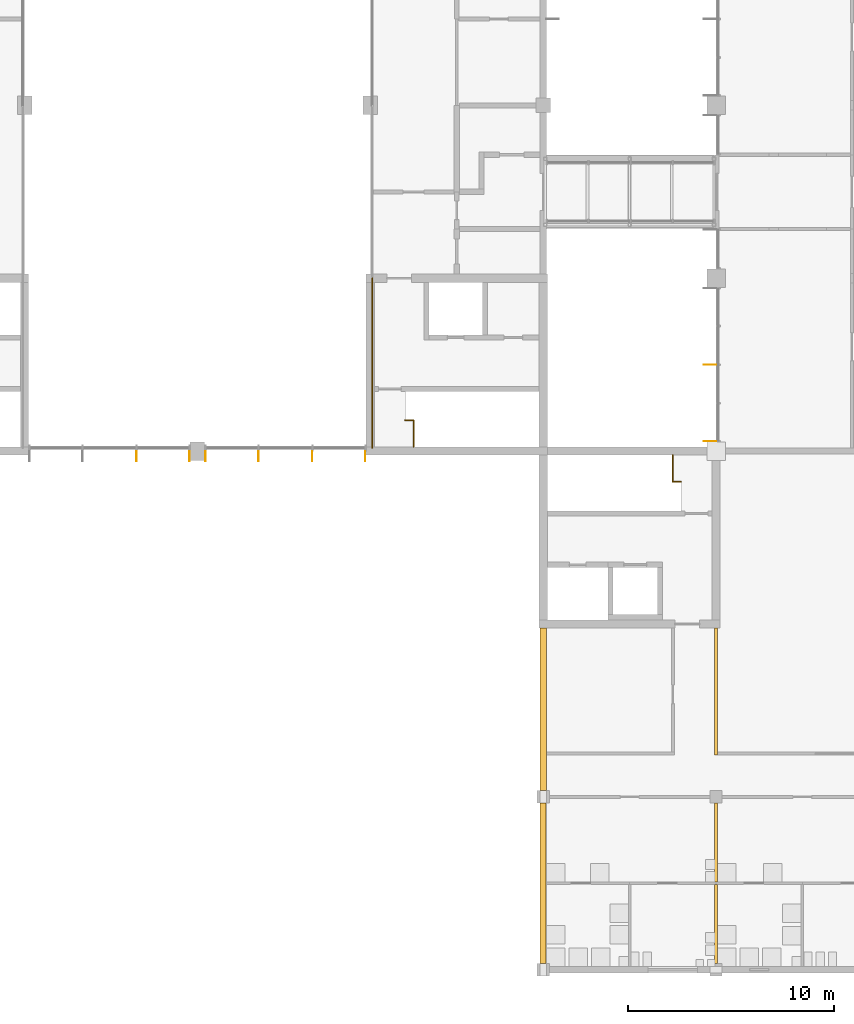
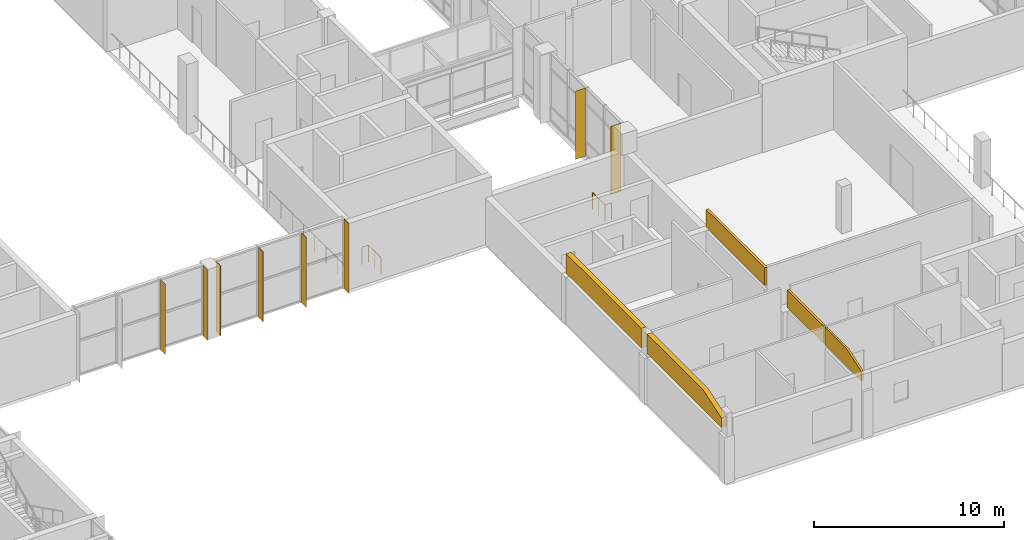
# One storey, part 61 of 70: 8 shading devices, 5 coverings, 3 railings.
"""IFC4 building model written with IfcOpenShell, lengths in metres."""

from ifc_helpers import new_model, si_unit, direction, frame, frame_2d, origin, origin_2d, place, context, subcontext, project, spatial, polyline, rectangle, circle, outline, extrude, material, layer, layer_set, type_object, element, save


model = new_model("IFC4")

# Units and contexts
model_context = context("Model", 3, precision=1e-05, world=origin(), true_north=direction((0.0, 1.0)))
body_context = subcontext(model_context, "Body", "Model", "MODEL_VIEW")
ifc_project = project(units=[si_unit("LENGTHUNIT", "METRE"), si_unit("AREAUNIT", "SQUARE_METRE"), si_unit("VOLUMEUNIT", "CUBIC_METRE"), si_unit("PLANEANGLEUNIT", "RADIAN"), si_unit("MASSUNIT", "GRAM", prefix="KILO")], contexts=[model_context])

# Site, building, storey
site_placement = place(None, origin())
site = spatial("IfcSite", under=ifc_project, at=site_placement, CompositionType="ELEMENT")
building_placement = place(site_placement, origin())
building = spatial("IfcBuilding", under=site, at=building_placement, Name="Hlaing Beacon Police Headquarters", CompositionType="ELEMENT")
storey_placement = place(building_placement, frame((0.0, 0.0, 5.39990234375)))
storey = spatial("IfcBuildingStorey", under=building, at=storey_placement, Name="L01", CompositionType="ELEMENT", Elevation=5.39990234375)

# Shading devices
ifc_material_1 = material(Name="Aluminium 6063-T5 anodised", Category="aluminium")
ifc_layer_1 = layer(ifc_material_1, 0.011962890625)
ifc_layer_set_1 = layer_set([ifc_layer_1], Name="Aluminium 6063-T5 anodised")
shading_device_type_1 = type_object("IfcShadingDeviceType", Name="Aluminium fin 12x500", PredefinedType="JALOUSIE", material=ifc_layer_set_1)
for number, where, z_axis, x_axis, name in (
    (1, (72.63330078125, 33.35009765625, 0.0), (0.0, 0.0, 1.0), (1.0, 0.0, 0.0), "Fin L01 S009.2"),
    (2, (75.2099609375, 33.35009765625, 0.0), (0.0, 0.0, 1.0), (1.0, 0.0, 0.0), "Fin L01 S009.3"),
    (3, (75.989990234375, 33.35009765625, 0.0), (0.0, 0.0, 1.0), (1.0, 0.0, 0.0), "Fin L01 S010.0"),
    (4, (78.566650390625, 33.35009765625, 0.0), (0.0, 0.0, 1.0), (1.0, 0.0, 0.0), "Fin L01 S010.1"),
    (5, (81.183349609375, 33.35009765625, 0.0), (0.0, 0.0, 1.0), (1.0, 0.0, 0.0), "Fin L01 S010.2"),
    (6, (83.760009765625, 33.35009765625, 0.0), (0.0, 0.0, 1.0), (1.0, 0.0, 0.0), "Fin L01 S010.3"),
):
    element("IfcShadingDevice", number, at=place(storey_placement, frame(where, z_axis=z_axis, x_axis=x_axis)), inside=storey, type_object=shading_device_type_1, Name=name, PredefinedType="JALOUSIE", context=body_context, shape_type="SweptSolid", body=[
        extrude(rectangle(XDim=0.011962890625, YDim=0.5, at=origin_2d()), origin(), (0.0, 0.0, 1.0), 4.5),
    ])
ifc_material_2 = material(Name="Aluminium 6063-T5 anodised", Category="aluminium")
ifc_layer_2 = layer(ifc_material_2, 0.011962890625)
ifc_layer_set_2 = layer_set([ifc_layer_2], Name="Aluminium 6063-T5 anodised")
shading_device_type_2 = type_object("IfcShadingDeviceType", Name="Aluminium fin 12x600", PredefinedType="JALOUSIE", material=ifc_layer_set_2)
for number, where, z_axis, x_axis, name in (
    (7, (100.5, 37.800048828125, 0.0), (0.0, 0.0, 1.0), (0.0, -1.0, 0.0), "Fin L01 W027.2"),
    (8, (100.5, 34.080078125, 0.0), (0.0, 0.0, 1.0), (0.0, -1.0, 0.0), "Fin L01 W027.4"),
):
    element("IfcShadingDevice", number, at=place(storey_placement, frame(where, z_axis=z_axis, x_axis=x_axis)), inside=storey, type_object=shading_device_type_2, Name=name, PredefinedType="JALOUSIE", context=body_context, shape_type="SweptSolid", body=[
        extrude(rectangle(XDim=0.011962890625, YDim=0.60009765625, at=origin_2d()), origin(), (0.0, 0.0, 1.0), 4.3701171875),
    ])

# Coverings
ifc_material_3 = material(Name="Gypsum board partition")
ifc_layer_3 = layer(ifc_material_3, 0.14990234375)
ifc_layer_set_3 = layer_set([ifc_layer_3], Name="Gypsum board partition")
covering_type_1 = type_object("IfcCoveringType", Name="Closure panel, Corridor wall EI 30 150", PredefinedType="CLADDING", material=ifc_layer_set_3)
covering_1_placement = place(storey_placement, frame((100.800048828125, 18.824951171875, 3.254150390625), z_axis=(0.0, 0.0, 1.0), x_axis=(0.0, 1.0, 0.0)))
element("IfcCovering", 9, at=covering_1_placement, inside=storey, type_object=covering_type_1, Name="Closure panel Corridor wall EI 30 150", PredefinedType="CLADDING", context=body_context, shape_type="SweptSolid", body=[
    extrude(rectangle(XDim=6.175048828125, YDim=0.14990234375, at=frame_2d((3.08740234375, 0.0))), origin(), (0.0, 0.0, 1.0), 1.115966796875),
])
ifc_material_4 = material(Name="Gypsum board partition")
ifc_layer_4 = layer(ifc_material_4, 0.125)
ifc_layer_set_4 = layer_set([ifc_layer_4], Name="Gypsum board partition")
covering_type_2 = type_object("IfcCoveringType", Name="Closure panel, Partition 125", PredefinedType="CLADDING", material=ifc_layer_set_4)
covering_2_placement = place(storey_placement, frame((100.800048828125, 12.662109375, 3.254150390625), z_axis=(0.0, 0.0, 1.0), x_axis=(0.0, 1.0, 0.0)))
element("IfcCovering", 10, at=covering_2_placement, inside=storey, type_object=covering_type_2, Name="Closure panel Partition 125", PredefinedType="CLADDING", context=body_context, shape_type="SweptSolid", body=[
    extrude(rectangle(XDim=3.837890625, YDim=0.125, at=frame_2d((1.9189453125, 0.0))), origin(), (0.0, 0.0, 1.0), 1.115966796875),
])
covering_3_placement = place(storey_placement, frame((100.800048828125, 8.699951171875, 3.254150390625), z_axis=(0.0, 0.0, 1.0), x_axis=(0.0, 1.0, 0.0)))
element("IfcCovering", 11, at=covering_3_placement, inside=storey, type_object=covering_type_2, Name="Closure panel Partition 125", PredefinedType="CLADDING", context=body_context, shape_type="SweptSolid", body=[
    extrude(outline(polyline([(0.0, 0.0), (3.837158203125, 0.0), (3.8369140625, 1.115966796875), (1.545654296875, 1.115966796875), (0.0, 0.60693359375), (0.0, 0.0)])), frame((0.0, 0.0625, 0.0), z_axis=(0.0, -1.0, 0.0), x_axis=(1.0, 0.0, 0.0)), (0.0, 0.0, 1.0), 0.125),
])
ifc_material_5 = material(Name="Concrete C40/50 precast ribbed cladding", Category="concrete")
ifc_layer_5 = layer(ifc_material_5, 0.300048828125)
ifc_layer_set_5 = layer_set([ifc_layer_5], Name="Concrete C40/50 precast ribbed cladding")
covering_type_3 = type_object("IfcCoveringType", Name="Closure panel, Precast ribbed wall 300", PredefinedType="CLADDING", material=ifc_layer_set_5)
covering_4_placement = place(storey_placement, frame((92.39990234375, 25.0, 3.254150390625), z_axis=(0.0, 0.0, 1.0), x_axis=(0.0, -1.0, 0.0)))
element("IfcCovering", 12, at=covering_4_placement, inside=storey, type_object=covering_type_3, Name="Closure panel External wall L01 W022", PredefinedType="CLADDING", context=body_context, shape_type="SweptSolid", body=[
    extrude(rectangle(XDim=7.89990234375, YDim=0.300048828125, at=frame_2d((3.949951171875, 0.0))), origin(), (0.0, 0.0, 1.0), 1.245849609375),
])
covering_5_placement = place(storey_placement, frame((92.39990234375, 16.5, 3.254150390625), z_axis=(0.0, 0.0, 1.0), x_axis=(0.0, -1.0, 0.0)))
element("IfcCovering", 13, at=covering_5_placement, inside=storey, type_object=covering_type_3, Name="Closure panel External wall L01 W024", PredefinedType="CLADDING", context=body_context, shape_type="SweptSolid", body=[
    extrude(outline(polyline([(0.0, 0.0), (7.800048828125, 0.0), (7.800048828125, 0.60693359375), (5.859619140625, 1.245849609375), (0.0, 1.245849609375), (0.0, 0.0)])), frame((0.0, 0.14990234375, 0.0), z_axis=(0.0, -1.0, 0.0), x_axis=(1.0, 0.0, 0.0)), (0.0, 0.0, 1.0), 0.300048828125),
])

# Railings
ifc_material_6 = material(Name="Stainless steel", Category="steel")
railing_type_1 = type_object("IfcRailingType", Name="Guard 1100", PredefinedType="GUARDRAIL", material=ifc_material_6)
railing_1_placement = place(storey_placement, frame((84.10009765625, 42.0, 0.0)))
element("IfcRailing", 14, at=railing_1_placement, inside=storey, type_object=railing_type_1, Name="Guard L01 11", PredefinedType="GUARDRAIL", context=body_context, shape_type="SweptSolid", body=[
    extrude(circle(Radius=0.02392578125, at=origin_2d()), frame((0.0, 0.0, 1.076171875), z_axis=(0.0, -1.0, 0.0), x_axis=(1.0, 0.0, 0.0)), (0.0, 0.0, 1.0), 8.25),
    extrude(circle(Radius=0.02099609375, at=origin_2d()), origin(), (0.0, 0.0, 1.0), 1.052001953125),
    extrude(circle(Radius=0.02099609375, at=origin_2d()), frame((0.0, -1.178466796875, 0.0)), (0.0, 0.0, 1.0), 1.052001953125),
    extrude(circle(Radius=0.02099609375, at=origin_2d()), frame((0.0, -2.357177734375, 0.0)), (0.0, 0.0, 1.0), 1.052001953125),
    extrude(circle(Radius=0.02099609375, at=origin_2d()), frame((0.0, -3.53564453125, 0.0)), (0.0, 0.0, 1.0), 1.052001953125),
    extrude(circle(Radius=0.02099609375, at=origin_2d()), frame((0.0, -4.71435546875, 0.0)), (0.0, 0.0, 1.0), 1.052001953125),
    extrude(circle(Radius=0.02099609375, at=origin_2d()), frame((0.0, -5.892822265625, 0.0)), (0.0, 0.0, 1.0), 1.052001953125),
    extrude(circle(Radius=0.02099609375, at=origin_2d()), frame((0.0, -7.071533203125, 0.0)), (0.0, 0.0, 1.0), 1.052001953125),
    extrude(circle(Radius=0.02099609375, at=origin_2d()), frame((0.0, -8.25, 0.0)), (0.0, 0.0, 1.0), 1.052001953125),
])
ifc_material_7 = material(Name="Stainless steel", Category="steel")
railing_type_2 = type_object("IfcRailingType", Name="Stair guard 1100", PredefinedType="GUARDRAIL", material=ifc_material_7)
railing_2_placement = place(storey_placement, frame((86.10009765625, 33.800048828125, 0.0)))
element("IfcRailing", 15, at=railing_2_placement, inside=storey, type_object=railing_type_2, Name="Guard ST-C", PredefinedType="GUARDRAIL", context=body_context, shape_type="SweptSolid", body=[
    extrude(circle(Radius=0.02392578125, at=origin_2d()), frame((0.0, 0.0, 1.076171875), z_axis=(0.0, 1.0, 0.0), x_axis=(-1.0, 0.0, 0.0)), (0.0, 0.0, 1.0), 1.300048828125),
    extrude(circle(Radius=0.02392578125, at=origin_2d()), frame((0.0, 1.300048828125, 1.076171875), z_axis=(-1.0, 0.0, 0.0), x_axis=(0.0, -1.0, 0.0)), (0.0, 0.0, 1.0), 0.400146484375),
    extrude(circle(Radius=0.02099609375, at=origin_2d()), origin(), (0.0, 0.0, 1.0), 1.052001953125),
    extrude(circle(Radius=0.02099609375, at=origin_2d()), frame((0.0, 0.64990234375, 0.0)), (0.0, 0.0, 1.0), 1.052001953125),
    extrude(circle(Radius=0.02099609375, at=origin_2d()), frame((0.0, 1.300048828125, 0.0)), (0.0, 0.0, 1.0), 1.052001953125),
    extrude(circle(Radius=0.02099609375, at=origin_2d()), frame((-0.400146484375, 1.300048828125, 0.0)), (0.0, 0.0, 1.0), 1.052001953125),
])
railing_3_placement = place(storey_placement, frame((98.699951171875, 33.39990234375, 0.0)))
element("IfcRailing", 16, at=railing_3_placement, inside=storey, type_object=railing_type_2, Name="Guard ST-G", PredefinedType="GUARDRAIL", context=body_context, shape_type="SweptSolid", body=[
    extrude(circle(Radius=0.02392578125, at=origin_2d()), frame((0.0, 0.0, 1.076171875), z_axis=(0.0, -1.0, 0.0), x_axis=(1.0, 0.0, 0.0)), (0.0, 0.0, 1.0), 1.2998046875),
    extrude(circle(Radius=0.02392578125, at=origin_2d()), frame((0.0, -1.2998046875, 1.076171875), z_axis=(1.0, 0.0, 0.0), x_axis=(0.0, 1.0, 0.0)), (0.0, 0.0, 1.0), 0.400146484375),
    extrude(circle(Radius=0.02099609375, at=origin_2d()), origin(), (0.0, 0.0, 1.0), 1.052001953125),
    extrude(circle(Radius=0.02099609375, at=origin_2d()), frame((0.0, -0.64990234375, 0.0)), (0.0, 0.0, 1.0), 1.052001953125),
    extrude(circle(Radius=0.02099609375, at=origin_2d()), frame((0.0, -1.2998046875, 0.0)), (0.0, 0.0, 1.0), 1.052001953125),
    extrude(circle(Radius=0.02099609375, at=origin_2d()), frame((0.400146484375, -1.2998046875, 0.0)), (0.0, 0.0, 1.0), 1.052001953125),
])

save(model, "model.ifc")
